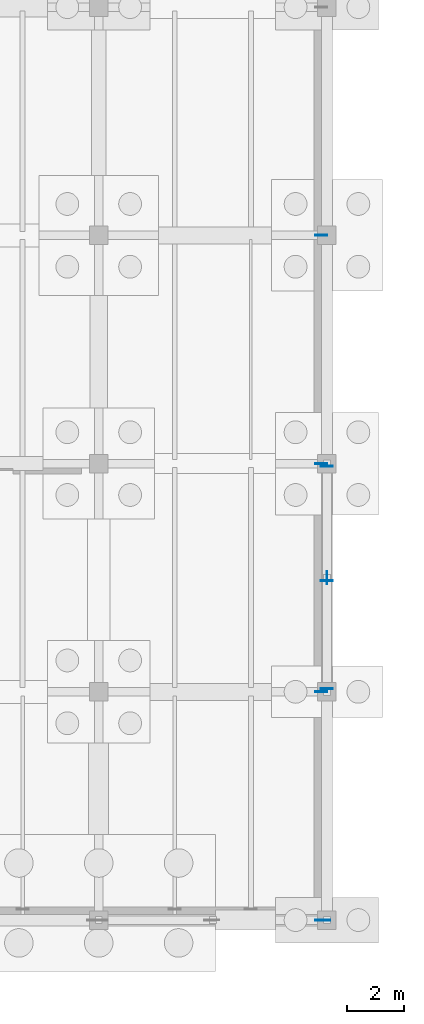
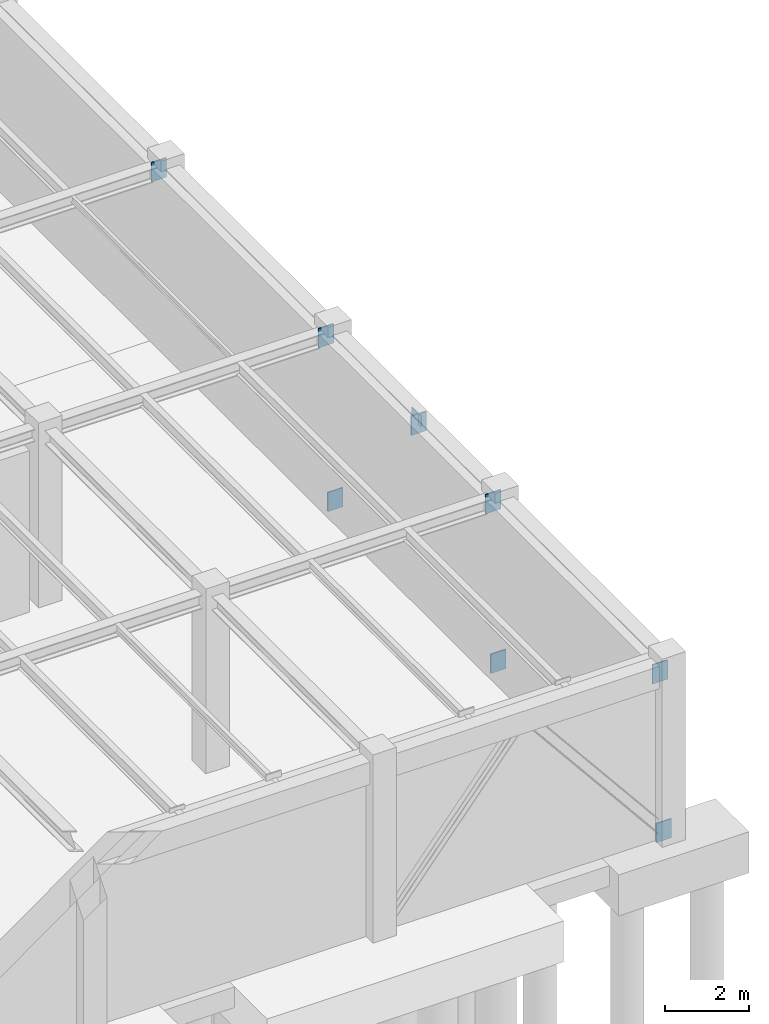
# One storey, part 46 of 71: 9 plates.
"""IFC4 building model written with IfcOpenShell, lengths in metres."""

from ifc_helpers import new_model, si_unit, direction, frame, origin, origin_2d, place, context, subcontext, project, spatial, rectangle, extrude, material, layer, layer_set, type_object, element, save


model = new_model("IFC4")

# Units and contexts
model_context = context("Model", 3, precision=1e-05, world=origin(), true_north=direction((0.0, 1.0)))
body_context = subcontext(model_context, "Body", "Model", "MODEL_VIEW")
ifc_project = project(units=[si_unit("LENGTHUNIT", "METRE"), si_unit("AREAUNIT", "SQUARE_METRE"), si_unit("VOLUMEUNIT", "CUBIC_METRE"), si_unit("PLANEANGLEUNIT", "RADIAN"), si_unit("MASSUNIT", "GRAM", prefix="KILO")], contexts=[model_context])

# Site, building, storey
site_placement = place(None, origin())
site = spatial("IfcSite", under=ifc_project, at=site_placement, CompositionType="ELEMENT")
building_placement = place(site_placement, origin())
building = spatial("IfcBuilding", under=site, at=building_placement, Name="Sundkrona Museum", CompositionType="ELEMENT")
storey_placement = place(building_placement, frame((0.0, 0.0, -5.39990234375)))
storey = spatial("IfcBuildingStorey", under=building, at=storey_placement, Name="B1", CompositionType="ELEMENT", Elevation=-5.39990234375)

# Plates
ifc_material = material(Name="Steel S355J2", Category="steel")
ifc_layer_1 = layer(ifc_material, 0.034912109375)
ifc_layer_set_1 = layer_set([ifc_layer_1], Name="Steel S355J2")
plate_type_1 = type_object("IfcPlateType", Name="EP-1", PredefinedType="USERDEFINED", material=ifc_layer_set_1)
for number, where, z_axis, x_axis, name in (
    (1, (167.800048828125, 0.0, 4.514892578125), (0.0, 0.0, 1.0), (1.0, 0.0, 0.0), "Structural Wall Cast-In Embed Plate BM-B1-X-0011-2"),
    (2, (167.800048828125, 8.0, 4.639892578125), (0.0, 0.0, 1.0), (1.0, 0.0, 0.0), "Structural Wall Cast-In Embed Plate BM-B1-X-0020-2"),
    (3, (167.800048828125, 16.0, 4.639892578125), (0.0, 0.0, 1.0), (1.0, 0.0, 0.0), "Structural Wall Cast-In Embed Plate BM-B1-X-0028-2"),
    (4, (167.800048828125, 24.0, 4.639892578125), (0.0, 0.0, 1.0), (1.0, 0.0, 0.0), "Structural Wall Cast-In Embed Plate BM-B1-X-0034-2"),
    (5, (167.89990234375, 0.0, -0.15771484375), (0.0, 0.0, 1.0), (1.0, 0.0, 0.0), "Structural Wall Cast-In Embed Plate BR-B1-001B-1"),
    (6, (168.0, 8.10009765625, -0.15771484375), (0.0, 0.0, 1.0), (1.0, 0.0, 0.0), "Structural Wall Cast-In Embed Plate BR-B1-007A-1"),
    (7, (168.0, 11.89990234375, 4.497314453125), (0.0, 0.0, 1.0), (1.0, 0.0, 0.0), "Structural Wall Cast-In Embed Plate BR-B1-007A-2"),
    (8, (168.0, 15.89990234375, -0.15771484375), (0.0, 0.0, 1.0), (1.0, 0.0, 0.0), "Structural Wall Cast-In Embed Plate BR-B1-007B-1"),
):
    element("IfcPlate", number, at=place(storey_placement, frame(where, z_axis=z_axis, x_axis=x_axis)), inside=storey, type_object=plate_type_1, Name=name, ObjectType="GUSSET PLATE", PredefinedType="USERDEFINED", context=body_context, shape_type="SweptSolid", body=[
        extrude(rectangle(XDim=0.419921875, YDim=0.034912109375, at=origin_2d()), origin(), (0.0, 0.0, 1.0), 0.56005859375),
    ])
ifc_layer_2 = layer(ifc_material, 0.02197265625)
ifc_layer_set_2 = layer_set([ifc_layer_2], Name="Steel S355J2")
plate_type_2 = type_object("IfcPlateType", Name="GP-5", PredefinedType="USERDEFINED", material=ifc_layer_set_2)
plate_placement = place(storey_placement, frame((168.0, 12.0, 4.744873046875), z_axis=(0.0, 0.0, 1.0), x_axis=(0.0, 1.0, 0.0)))
element("IfcPlate", 9, at=plate_placement, inside=storey, type_object=plate_type_2, Name="B1 Chevron Apex Gusset Plate 007", ObjectType="GUSSET PLATE", PredefinedType="USERDEFINED", context=body_context, shape_type="SweptSolid", body=[
    extrude(rectangle(XDim=0.43994140625, YDim=0.02197265625, at=origin_2d()), origin(), (0.0, 0.0, 1.0), 0.31005859375),
])

save(model, "model.ifc")
